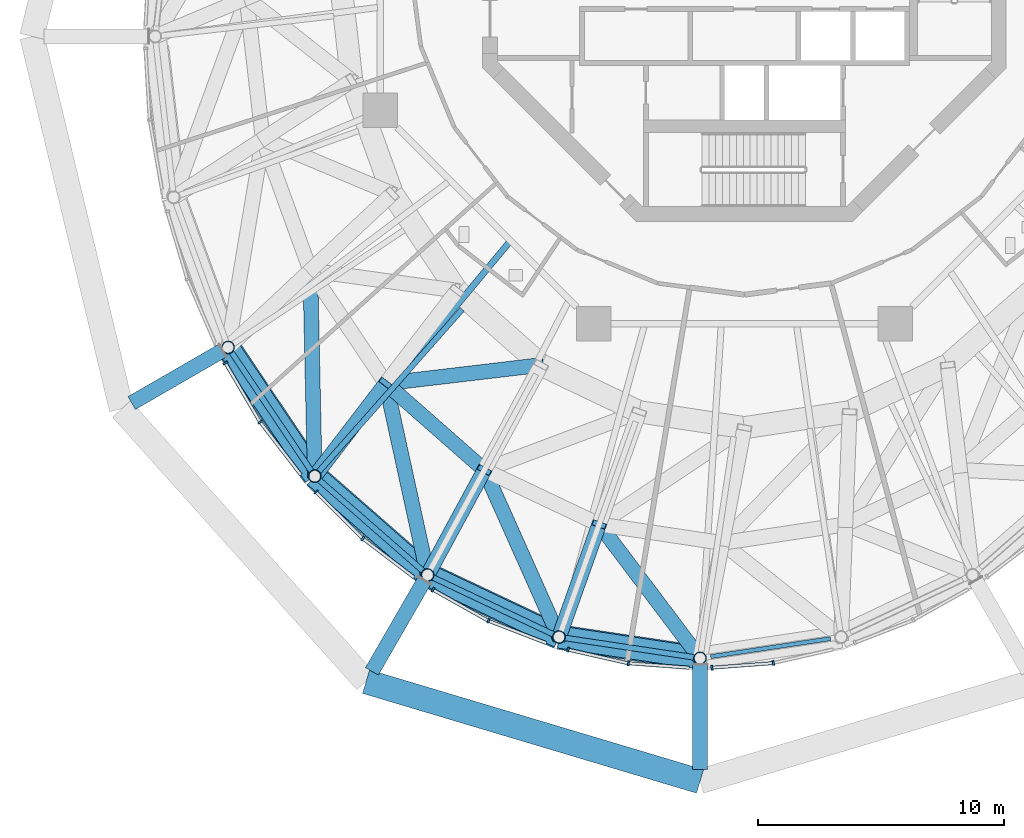
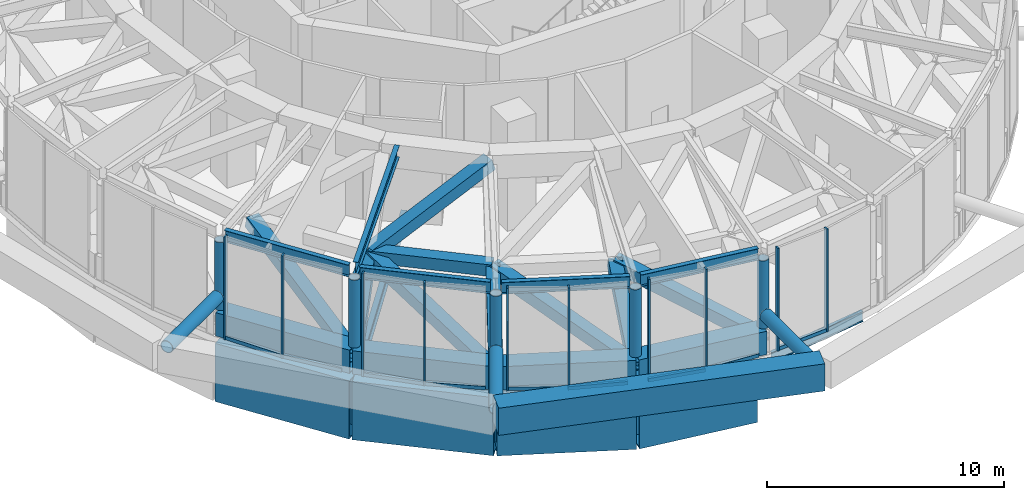
# One storey, part 2 of 22: 28 members, 24 beams, 10 elements without a shape of their own.
"""IFC4 building model written with IfcOpenShell, lengths in metres."""

from ifc_helpers import new_model, si_unit, direction, frame, origin, origin_2d, place, context, subcontext, project, spatial, rectangle, hollow_rectangle, hollow_circle, i_section, extrude, material, layer, layer_set, material_profile, profile_set, type_object, element, aggregate, save


model = new_model("IFC4")

# Units and contexts
model_context = context("Model", 3, precision=1e-05, world=origin(), true_north=direction((0.0, 1.0)))
body_context = subcontext(model_context, "Body", "Model", "MODEL_VIEW")
ifc_project = project(units=[si_unit("LENGTHUNIT", "METRE"), si_unit("AREAUNIT", "SQUARE_METRE"), si_unit("VOLUMEUNIT", "CUBIC_METRE"), si_unit("PLANEANGLEUNIT", "RADIAN"), si_unit("MASSUNIT", "GRAM", prefix="KILO")], contexts=[model_context])

# Site, building, storey
site_placement = place(None, origin())
site = spatial("IfcSite", under=ifc_project, at=site_placement, CompositionType="ELEMENT")
building_placement = place(site_placement, origin())
building = spatial("IfcBuilding", under=site, at=building_placement, Name="Nagisa Residences", CompositionType="ELEMENT")
storey_placement = place(building_placement, frame((0.0, 0.0, 310.300048828125)))
storey = spatial("IfcBuildingStorey", under=building, at=storey_placement, Name="L77", CompositionType="ELEMENT", Elevation=310.300048828125)

# Beams
ifc_material_1 = material(Name="Steel ASTM A572 Gr 50", Category="steel")
ifc_material_profile_1 = material_profile(ifc_material_1, hollow_rectangle(XDim=0.60009765625, YDim=0.60009765625, WallThickness=0.034912109375, at=origin_2d()), Name="BX 600x600x35")
ifc_profile_set_1 = profile_set([ifc_material_profile_1], Name="Steel ASTM A572 Gr 50")
beam_type_1 = type_object("IfcBeamType", Name="Belt chord 6 BX 600x600x35", PredefinedType="BEAM", material=ifc_profile_set_1)
beam_1_placement = place(storey_placement, frame((-14.55419921875, -17.199951171875, 2.64990234375), z_axis=(0.751083596494, -0.660207112259, 0.0), x_axis=(0.660207112259, 0.751083596494, 0.0)))
element("IfcBeam", 1, at=beam_1_placement, inside=storey, type_object=beam_type_1, Name="beam:L77:bt6m16", PredefinedType="BEAM", context=body_context, shape_type="SweptSolid", body=[
    extrude(hollow_rectangle(XDim=0.60009765625, YDim=0.60009765625, WallThickness=0.034912109375, at=origin_2d()), origin(), (0.0, 0.0, 1.0), 5.32470703125),
])
ifc_material_2 = material(Name="Steel ASTM A572 Gr 50", Category="steel")
ifc_material_profile_2 = material_profile(ifc_material_2, hollow_rectangle(XDim=0.89990234375, YDim=1.199951171875, WallThickness=0.0400390625, at=origin_2d()), Name="BX 900x1200x40")
ifc_profile_set_2 = profile_set([ifc_material_profile_2], Name="Steel ASTM A572 Gr 50")
beam_type_2 = type_object("IfcBeamType", Name="Belt chord 6 BX 900x1200x40", PredefinedType="BEAM", material=ifc_profile_set_2)
beam_2_placement = place(storey_placement, frame((-20.95654296875, -15.73779296875, 0.599853515625), z_axis=(0.558049586108, -0.829807603872, 0.0), x_axis=(0.829807603872, 0.558049586108, 0.0)))
element("IfcBeam", 2, at=beam_2_placement, inside=storey, type_object=beam_type_2, Name="beam:L77:bt6b15", PredefinedType="BEAM", context=body_context, shape_type="SweptSolid", body=[
    extrude(hollow_rectangle(XDim=0.89990234375, YDim=1.199951171875, WallThickness=0.0400390625, at=origin_2d()), origin(), (0.0, 0.0, 1.0), 6.29931640625),
])
beam_3_placement = place(storey_placement, frame((-17.441162109375, -20.965087890625, 0.599853515625), z_axis=(0.752368013949, -0.658743023938, 0.0), x_axis=(0.658743023938, 0.752368013949, 0.0)))
element("IfcBeam", 3, at=beam_3_placement, inside=storey, type_object=beam_type_2, Name="beam:L77:bt6b16", PredefinedType="BEAM", context=body_context, shape_type="SweptSolid", body=[
    extrude(hollow_rectangle(XDim=0.89990234375, YDim=1.199951171875, WallThickness=0.0400390625, at=origin_2d()), origin(), (0.0, 0.0, 1.0), 6.0888671875),
])
beam_4_placement = place(storey_placement, frame((-12.860107421875, -24.97607421875, 0.599853515625), z_axis=(0.904104817547, -0.427310752134, 0.0), x_axis=(0.427310752134, 0.904104817547, 0.0)))
element("IfcBeam", 4, at=beam_4_placement, inside=storey, type_object=beam_type_2, Name="beam:L77:bt6b17", PredefinedType="BEAM", context=body_context, shape_type="SweptSolid", body=[
    extrude(hollow_rectangle(XDim=0.89990234375, YDim=1.199951171875, WallThickness=0.0400390625, at=origin_2d()), origin(), (0.0, 0.0, 1.0), 5.90087890625),
])
beam_5_placement = place(storey_placement, frame((-7.525146484375, -27.49755859375, 0.599853515625), z_axis=(0.988902301615, -0.148567283948, 0.0), x_axis=(0.148567283948, 0.988902301615, 0.0)))
element("IfcBeam", 5, at=beam_5_placement, inside=storey, type_object=beam_type_2, Name="beam:L77:bt6b18", PredefinedType="BEAM", context=body_context, shape_type="SweptSolid", body=[
    extrude(hollow_rectangle(XDim=0.89990234375, YDim=1.199951171875, WallThickness=0.0400390625, at=origin_2d()), origin(), (0.0, 0.0, 1.0), 5.789306640625),
])
ifc_material_3 = material(Name="Steel ASTM A572 Gr 50", Category="steel")
ifc_material_profile_3 = material_profile(ifc_material_3, hollow_rectangle(XDim=0.60009765625, YDim=0.60009765625, WallThickness=0.034912109375, at=origin_2d()), Name="BX 600x600x35")
ifc_profile_set_3 = profile_set([ifc_material_profile_3], Name="Steel ASTM A572 Gr 50")
beam_type_3 = type_object("IfcBeamType", Name="Belt diagonal 6 BX 600x600x35", PredefinedType="BEAM", material=ifc_profile_set_3)
beam_6_placement = place(storey_placement, frame((-17.441162109375, -20.965087890625, 0.599853515625), z_axis=(-0.021158735006, 0.970916127382, 0.238483084351), x_axis=(-0.999762627001, -0.021787373694, 0.0)))
element("IfcBeam", 6, at=beam_6_placement, inside=storey, type_object=beam_type_3, Name="beam:L77:bt6lb15", PredefinedType="BEAM", context=body_context, shape_type="SweptSolid", body=[
    extrude(hollow_rectangle(XDim=0.60009765625, YDim=0.60009765625, WallThickness=0.034912109375, at=origin_2d()), origin(), (0.0, 0.0, 1.0), 8.59619140625),
])
beam_7_placement = place(storey_placement, frame((-17.441162109375, -20.965087890625, 0.599853515625), z_axis=(0.558567584049, 0.728476049151, 0.396642029874), x_axis=(-0.793569918659, 0.608479074578, 0.0)))
element("IfcBeam", 7, at=beam_7_placement, inside=storey, type_object=beam_type_3, Name="beam:L77:bt6la16", PredefinedType="BEAM", context=body_context, shape_type="SweptSolid", body=[
    extrude(hollow_rectangle(XDim=0.60009765625, YDim=0.60009765625, WallThickness=0.034912109375, at=origin_2d()), origin(), (0.0, 0.0, 1.0), 5.16845703125),
])
beam_8_placement = place(storey_placement, frame((-12.860107421875, -24.97607421875, 0.599853515625), z_axis=(-0.206136093923, 0.946194080925, 0.249448736226), x_axis=(-0.977081579033, -0.212865187181, 0.0)))
element("IfcBeam", 8, at=beam_8_placement, inside=storey, type_object=beam_type_3, Name="beam:L77:bt6lb16", PredefinedType="BEAM", context=body_context, shape_type="SweptSolid", body=[
    extrude(hollow_rectangle(XDim=0.60009765625, YDim=0.60009765625, WallThickness=0.034912109375, at=origin_2d()), origin(), (0.0, 0.0, 1.0), 8.21826171875),
])
beam_9_placement = place(storey_placement, frame((-14.55419921875, -17.199951171875, 2.64990234375), z_axis=(0.945026766079, 0.111732891211, 0.307311198), x_axis=(-0.117414697269, 0.993082971793, 0.0)))
element("IfcBeam", 9, at=beam_9_placement, inside=storey, type_object=beam_type_3, Name="beam:L77:bt6ub16", PredefinedType="BEAM", context=body_context, shape_type="SweptSolid", body=[
    extrude(hollow_rectangle(XDim=0.60009765625, YDim=0.60009765625, WallThickness=0.034912109375, at=origin_2d()), origin(), (0.0, 0.0, 1.0), 6.6708984375),
])
beam_10_placement = place(storey_placement, frame((-12.860107421875, -24.97607421875, 0.599853515625), z_axis=(0.438223700654, 0.809985175155, 0.389722983943), x_axis=(-0.87952754072, 0.475847985301, 0.0)))
element("IfcBeam", 10, at=beam_10_placement, inside=storey, type_object=beam_type_3, Name="beam:L77:bt6la17", PredefinedType="BEAM", context=body_context, shape_type="SweptSolid", body=[
    extrude(hollow_rectangle(XDim=0.60009765625, YDim=0.60009765625, WallThickness=0.034912109375, at=origin_2d()), origin(), (0.0, 0.0, 1.0), 5.26025390625),
])
beam_11_placement = place(storey_placement, frame((-7.525146484375, -27.49755859375, 0.599853515625), z_axis=(-0.393177323906, 0.880134251257, 0.26603626018), x_axis=(-0.913037358218, -0.407875940082, 0.0)))
element("IfcBeam", 11, at=beam_11_placement, inside=storey, type_object=beam_type_3, Name="beam:L77:bt6lb17", PredefinedType="BEAM", context=body_context, shape_type="SweptSolid", body=[
    extrude(hollow_rectangle(XDim=0.60009765625, YDim=0.60009765625, WallThickness=0.034912109375, at=origin_2d()), origin(), (0.0, 0.0, 1.0), 7.705810546875),
])
beam_12_placement = place(storey_placement, frame((-7.525146484375, -27.49755859375, 0.599853515625), z_axis=(0.308889099344, 0.86786437768, 0.389100175096), x_axis=(-0.942106671715, 0.335313314841, 0.0)))
element("IfcBeam", 12, at=beam_12_placement, inside=storey, type_object=beam_type_3, Name="beam:L77:bt6la18", PredefinedType="BEAM", context=body_context, shape_type="SweptSolid", body=[
    extrude(hollow_rectangle(XDim=0.60009765625, YDim=0.60009765625, WallThickness=0.034912109375, at=origin_2d()), origin(), (0.0, 0.0, 1.0), 5.268798828125),
])
beam_13_placement = place(storey_placement, frame((-1.800048828125, -28.357666015625, 0.599853515625), z_axis=(-0.57658126342, 0.764423634034, 0.288462396862), x_axis=(-0.798360981514, -0.602179162041, 0.0)))
element("IfcBeam", 13, at=beam_13_placement, inside=storey, type_object=beam_type_3, Name="beam:L77:bt6lb18", PredefinedType="BEAM", context=body_context, shape_type="SweptSolid", body=[
    extrude(hollow_rectangle(XDim=0.60009765625, YDim=0.60009765625, WallThickness=0.034912109375, at=origin_2d()), origin(), (0.0, 0.0, 1.0), 7.10693359375),
])

# Curtain wall, member
ifc_material_4 = material(Name="Aluminium curtain wall system", Category="aluminium")
ifc_layer = layer(ifc_material_4, 0.159912109375)
ifc_layer_set = layer_set([ifc_layer], Name="CW2 CURTAIN WALL")
curtain_wall_type = type_object("IfcCurtainWallType", Name="CW2 CURTAIN WALL", PredefinedType="NOTDEFINED", material=ifc_layer_set)
curtain_wall_1_placement = place(storey_placement, origin())
curtain_wall_1 = element("IfcCurtainWall", 14, at=curtain_wall_1_placement, inside=storey, type_object=curtain_wall_type, Name="cw:CW2:L77:28", PredefinedType="NOTDEFINED")
ifc_material_5 = material(Name="Aluminium", Category="aluminium")
ifc_material_profile_4 = material_profile(ifc_material_5, rectangle(XDim=0.199951171875, YDim=0.080078125, at=origin_2d()), Name="CW2 MULLION 200x80")
ifc_profile_set_4 = profile_set([ifc_material_profile_4], Name="Aluminium")
member_type_1 = type_object("IfcMemberType", Name="CW2 MULLION 200x80", PredefinedType="MULLION", material=ifc_profile_set_4)
member_1_placement = place(storey_placement, frame((-21.072509765625, -16.36962890625, 0.0), z_axis=(0.0, 0.0, 1.0), x_axis=(0.862328898214, 0.506348567002, 0.0)))
member_1 = element("IfcMember", 15, at=member_1_placement, type_object=member_type_1, Name="CW2 mullion", PredefinedType="MULLION", context=body_context, shape_type="SweptSolid", body=[
    extrude(rectangle(XDim=0.199951171875, YDim=0.080078125, at=origin_2d()), origin(), (0.0, 0.0, 1.0), 5.300048828125),
])

curtain_wall_2_placement = place(storey_placement, origin())
curtain_wall_2 = element("IfcCurtainWall", 16, at=curtain_wall_2_placement, inside=storey, type_object=curtain_wall_type, Name="cw:CW2:L77:29", PredefinedType="NOTDEFINED")
member_2_placement = place(storey_placement, frame((-19.657958984375, -18.77001953125, 0.0), z_axis=(0.0, 0.0, 1.0), x_axis=(0.792070340816, 0.610429828235, 0.0)))
member_2 = element("IfcMember", 17, at=member_2_placement, type_object=member_type_1, Name="CW2 mullion", PredefinedType="MULLION", context=body_context, shape_type="SweptSolid", body=[
    extrude(rectangle(XDim=0.199951171875, YDim=0.080078125, at=origin_2d()), origin(), (0.0, 0.0, 1.0), 5.300048828125),
])

curtain_wall_3_placement = place(storey_placement, origin())
curtain_wall_3 = element("IfcCurtainWall", 18, at=curtain_wall_3_placement, inside=storey, type_object=curtain_wall_type, Name="cw:CW2:L77:30", PredefinedType="NOTDEFINED")
member_3_placement = place(storey_placement, frame((-17.391357421875, -21.608154296875, 0.0), z_axis=(0.0, 0.0, 1.0), x_axis=(0.706376885714, 0.707835924016, 0.0)))
member_3 = element("IfcMember", 19, at=member_3_placement, type_object=member_type_1, Name="CW2 mullion", PredefinedType="MULLION", context=body_context, shape_type="SweptSolid", body=[
    extrude(rectangle(XDim=0.199951171875, YDim=0.080078125, at=origin_2d()), origin(), (0.0, 0.0, 1.0), 5.300048828125),
])

curtain_wall_4_placement = place(storey_placement, origin())
curtain_wall_4 = element("IfcCurtainWall", 20, at=curtain_wall_4_placement, inside=storey, type_object=curtain_wall_type, Name="cw:CW2:L77:31", PredefinedType="NOTDEFINED")
member_4_placement = place(storey_placement, frame((-15.489990234375, -23.4990234375, 0.0), z_axis=(0.0, 0.0, 1.0), x_axis=(0.605255421737, 0.79603132756, 0.0)))
member_4 = element("IfcMember", 21, at=member_4_placement, type_object=member_type_1, Name="CW2 mullion", PredefinedType="MULLION", context=body_context, shape_type="SweptSolid", body=[
    extrude(rectangle(XDim=0.199951171875, YDim=0.080078125, at=origin_2d()), origin(), (0.0, 0.0, 1.0), 5.300048828125),
])

curtain_wall_5_placement = place(storey_placement, origin())
curtain_wall_5 = element("IfcCurtainWall", 22, at=curtain_wall_5_placement, inside=storey, type_object=curtain_wall_type, Name="cw:CW2:L77:32", PredefinedType="NOTDEFINED")
member_5_placement = place(storey_placement, frame((-12.6435546875, -25.5791015625, 0.0), z_axis=(0.0, 0.0, 1.0), x_axis=(0.489376918501, 0.872072377523, 0.0)))
member_5 = element("IfcMember", 23, at=member_5_placement, type_object=member_type_1, Name="CW2 mullion", PredefinedType="MULLION", context=body_context, shape_type="SweptSolid", body=[
    extrude(rectangle(XDim=0.199951171875, YDim=0.080078125, at=origin_2d()), origin(), (0.0, 0.0, 1.0), 5.300048828125),
])

curtain_wall_6_placement = place(storey_placement, origin())
curtain_wall_6 = element("IfcCurtainWall", 24, at=curtain_wall_6_placement, inside=storey, type_object=curtain_wall_type, Name="cw:CW2:L77:33", PredefinedType="NOTDEFINED")
member_6_placement = place(storey_placement, frame((-10.39013671875, -26.838134765625, 0.0), z_axis=(0.0, 0.0, 1.0), x_axis=(0.360327770268, 0.932825759707, 0.0)))
member_6 = element("IfcMember", 25, at=member_6_placement, type_object=member_type_1, Name="CW2 mullion", PredefinedType="MULLION", context=body_context, shape_type="SweptSolid", body=[
    extrude(rectangle(XDim=0.199951171875, YDim=0.080078125, at=origin_2d()), origin(), (0.0, 0.0, 1.0), 5.300048828125),
])

curtain_wall_7_placement = place(storey_placement, origin())
curtain_wall_7 = element("IfcCurtainWall", 26, at=curtain_wall_7_placement, inside=storey, type_object=curtain_wall_type, Name="cw:CW2:L77:34", PredefinedType="NOTDEFINED")
member_7_placement = place(storey_placement, frame((-7.158935546875, -28.0107421875, 0.0), z_axis=(0.0, 0.0, 1.0), x_axis=(0.2207639201, 0.975327274089, 0.0)))
member_7 = element("IfcMember", 27, at=member_7_placement, type_object=member_type_1, Name="CW2 mullion", PredefinedType="MULLION", context=body_context, shape_type="SweptSolid", body=[
    extrude(rectangle(XDim=0.199951171875, YDim=0.080078125, at=origin_2d()), origin(), (0.0, 0.0, 1.0), 5.300048828125),
])

curtain_wall_8_placement = place(storey_placement, origin())
curtain_wall_8 = element("IfcCurtainWall", 28, at=curtain_wall_8_placement, inside=storey, type_object=curtain_wall_type, Name="cw:CW2:L77:35", PredefinedType="NOTDEFINED")
member_8_placement = place(storey_placement, frame((-4.70654296875, -28.560791015625, 0.0), z_axis=(0.0, 0.0, 1.0), x_axis=(0.074377355493, 0.997230168512, 0.0)))
member_8 = element("IfcMember", 29, at=member_8_placement, type_object=member_type_1, Name="CW2 mullion", PredefinedType="MULLION", context=body_context, shape_type="SweptSolid", body=[
    extrude(rectangle(XDim=0.199951171875, YDim=0.080078125, at=origin_2d()), origin(), (0.0, 0.0, 1.0), 5.300048828125),
])

curtain_wall_9_placement = place(storey_placement, origin())
curtain_wall_9 = element("IfcCurtainWall", 30, at=curtain_wall_9_placement, inside=storey, type_object=curtain_wall_type, Name="cw:CW2:L77:36", PredefinedType="NOTDEFINED")
member_9_placement = place(storey_placement, frame((-1.3173828125, -28.741455078125, 0.0), z_axis=(0.0, 0.0, 1.0), x_axis=(-0.074377355493, 0.997230168512, 0.0)))
member_9 = element("IfcMember", 31, at=member_9_placement, type_object=member_type_1, Name="CW2 mullion", PredefinedType="MULLION", context=body_context, shape_type="SweptSolid", body=[
    extrude(rectangle(XDim=0.199951171875, YDim=0.080078125, at=origin_2d()), origin(), (0.0, 0.0, 1.0), 5.300048828125),
])

curtain_wall_10_placement = place(storey_placement, origin())
curtain_wall_10 = element("IfcCurtainWall", 32, at=curtain_wall_10_placement, inside=storey, type_object=curtain_wall_type, Name="cw:CW2:L77:37", PredefinedType="NOTDEFINED")
member_10_placement = place(storey_placement, frame((1.173828125, -28.550537109375, 0.0), z_axis=(0.0, 0.0, 1.0), x_axis=(-0.2207639201, 0.975327274089, 0.0)))
member_10 = element("IfcMember", 33, at=member_10_placement, type_object=member_type_1, Name="CW2 mullion", PredefinedType="MULLION", context=body_context, shape_type="SweptSolid", body=[
    extrude(rectangle(XDim=0.199951171875, YDim=0.080078125, at=origin_2d()), origin(), (0.0, 0.0, 1.0), 5.300048828125),
])
aggregate(curtain_wall_10, [member_10])

# Member
ifc_material_6 = material(Name="Aluminium", Category="aluminium")
ifc_material_profile_5 = material_profile(ifc_material_6, rectangle(XDim=0.139892578125, YDim=0.179931640625, at=origin_2d()), Name="CW2 TRANSOM 140x180")
ifc_profile_set_5 = profile_set([ifc_material_profile_5], Name="Aluminium")
member_type_2 = type_object("IfcMemberType", Name="CW2 TRANSOM 140x180", PredefinedType="USERDEFINED", material=ifc_profile_set_5)
member_11_placement = place(storey_placement, frame((-21.0927734375, -16.335205078125, 0.08984375), z_axis=(0.506371364425, -0.862315511452, 0.0), x_axis=(0.862315511452, 0.506371364425, 0.0)))
member_11 = element("IfcMember", 34, at=member_11_placement, type_object=member_type_2, Name="CW2 transom", ObjectType="TRANSOM", PredefinedType="USERDEFINED", context=body_context, shape_type="SweptSolid", body=[
    extrude(rectangle(XDim=0.139892578125, YDim=0.179931640625, at=origin_2d()), origin(), (0.0, 0.0, 1.0), 2.79638671875),
])

aggregate(curtain_wall_1, [member_1, member_11])

member_12_placement = place(storey_placement, frame((-19.682373046875, -18.73828125, 0.08984375), z_axis=(0.610432336622, -0.792068407656, 0.0), x_axis=(0.792068407656, 0.610432336622, 0.0)))
member_12 = element("IfcMember", 35, at=member_12_placement, type_object=member_type_2, Name="CW2 transom", ObjectType="TRANSOM", PredefinedType="USERDEFINED", context=body_context, shape_type="SweptSolid", body=[
    extrude(rectangle(XDim=0.139892578125, YDim=0.179931640625, at=origin_2d()), origin(), (0.0, 0.0, 1.0), 2.74609375),
])

aggregate(curtain_wall_2, [member_2, member_12])

member_13_placement = place(storey_placement, frame((-17.419677734375, -21.579833984375, 0.08984375), z_axis=(0.707831739508, -0.706381078841, 0.0), x_axis=(0.706381078841, 0.707831739508, 0.0)))
member_13 = element("IfcMember", 36, at=member_13_placement, type_object=member_type_2, Name="CW2 transom", ObjectType="TRANSOM", PredefinedType="USERDEFINED", context=body_context, shape_type="SweptSolid", body=[
    extrude(rectangle(XDim=0.139892578125, YDim=0.179931640625, at=origin_2d()), origin(), (0.0, 0.0, 1.0), 2.692626953125),
])

aggregate(curtain_wall_3, [member_3, member_13])

member_14_placement = place(storey_placement, frame((-15.521728515625, -23.474853515625, 0.08984375), z_axis=(0.796010739377, -0.605282498339, 0.0), x_axis=(0.605282498339, 0.796010739377, 0.0)))
member_14 = element("IfcMember", 37, at=member_14_placement, type_object=member_type_2, Name="CW2 transom", ObjectType="TRANSOM", PredefinedType="USERDEFINED", context=body_context, shape_type="SweptSolid", body=[
    extrude(rectangle(XDim=0.139892578125, YDim=0.179931640625, at=origin_2d()), origin(), (0.0, 0.0, 1.0), 2.640625),
])

aggregate(curtain_wall_4, [member_4, member_14])

member_15_placement = place(storey_placement, frame((-12.678466796875, -25.5595703125, 0.08984375), z_axis=(0.872052877201, -0.489411666561, 0.0), x_axis=(0.489411666561, 0.872052877201, 0.0)))
member_15 = element("IfcMember", 38, at=member_15_placement, type_object=member_type_2, Name="CW2 transom", ObjectType="TRANSOM", PredefinedType="USERDEFINED", context=body_context, shape_type="SweptSolid", body=[
    extrude(rectangle(XDim=0.139892578125, YDim=0.179931640625, at=origin_2d()), origin(), (0.0, 0.0, 1.0), 2.593017578125),
])

aggregate(curtain_wall_5, [member_5, member_15])

member_16_placement = place(storey_placement, frame((-10.427490234375, -26.82373046875, 0.08984375), z_axis=(0.93282223778, -0.360336887792, 0.0), x_axis=(0.360336887792, 0.93282223778, 0.0)))
member_16 = element("IfcMember", 39, at=member_16_placement, type_object=member_type_2, Name="CW2 transom", ObjectType="TRANSOM", PredefinedType="USERDEFINED", context=body_context, shape_type="SweptSolid", body=[
    extrude(rectangle(XDim=0.139892578125, YDim=0.179931640625, at=origin_2d()), origin(), (0.0, 0.0, 1.0), 2.5537109375),
])

aggregate(curtain_wall_6, [member_6, member_16])

member_17_placement = place(storey_placement, frame((-7.197998046875, -28.001953125, 0.08984375), z_axis=(0.975319584032, -0.220797891756, 0.0), x_axis=(0.220797891756, 0.975319584032, 0.0)))
member_17 = element("IfcMember", 40, at=member_17_placement, type_object=member_type_2, Name="CW2 transom", ObjectType="TRANSOM", PredefinedType="USERDEFINED", context=body_context, shape_type="SweptSolid", body=[
    extrude(rectangle(XDim=0.139892578125, YDim=0.179931640625, at=origin_2d()), origin(), (0.0, 0.0, 1.0), 2.525390625),
])

aggregate(curtain_wall_7, [member_7, member_17])

member_18_placement = place(storey_placement, frame((-4.74658203125, -28.5576171875, 0.08984375), z_axis=(0.99722914645, -0.074391057731, 0.0), x_axis=(0.074391057731, 0.99722914645, 0.0)))
member_18 = element("IfcMember", 41, at=member_18_placement, type_object=member_type_2, Name="CW2 transom", ObjectType="TRANSOM", PredefinedType="USERDEFINED", context=body_context, shape_type="SweptSolid", body=[
    extrude(rectangle(XDim=0.139892578125, YDim=0.179931640625, at=origin_2d()), origin(), (0.0, 0.0, 1.0), 2.510498046875),
])

aggregate(curtain_wall_8, [member_8, member_18])

member_19_placement = place(storey_placement, frame((-1.357177734375, -28.744384765625, 0.08984375), z_axis=(0.99722914645, 0.074391057731, 0.0), x_axis=(-0.074391057731, 0.99722914645, 0.0)))
member_19 = element("IfcMember", 42, at=member_19_placement, type_object=member_type_2, Name="CW2 transom", ObjectType="TRANSOM", PredefinedType="USERDEFINED", context=body_context, shape_type="SweptSolid", body=[
    extrude(rectangle(XDim=0.139892578125, YDim=0.179931640625, at=origin_2d()), origin(), (0.0, 0.0, 1.0), 2.510498046875),
])

aggregate(curtain_wall_9, [member_9, member_19])

# Members
ifc_material_7 = material(Name="Concrete C80", Category="concrete")
ifc_material_profile_6 = material_profile(ifc_material_7, rectangle(XDim=1.0, YDim=1.39990234375, at=origin_2d()), Name="C80 1000x1400")
ifc_profile_set_6 = profile_set([ifc_material_profile_6], Name="Concrete C80")
member_type_3 = type_object("IfcMemberType", Name="Cage ring 6 C80 1000x1400", PredefinedType="CHORD", material=ifc_profile_set_6)
member_20_placement = place(storey_placement, frame((-15.360107421875, -29.306396484375, 1.89990234375), z_axis=(0.958151380194, -0.286261999981, 0.0), x_axis=(0.286261999981, 0.958151380194, 0.0)))
element("IfcMember", 43, at=member_20_placement, inside=storey, type_object=member_type_3, Name="beam:L77:cg6r109", PredefinedType="CHORD", context=body_context, shape_type="SweptSolid", body=[
    extrude(rectangle(XDim=1.0, YDim=1.39990234375, at=origin_2d()), origin(), (0.0, 0.0, 1.0), 14.15234375),
])
ifc_material_8 = material(Name="Steel ASTM A572 Gr 65", Category="steel")
ifc_material_profile_7 = material_profile(ifc_material_8, hollow_circle(Radius=0.304931640625, WallThickness=0.02490234375, at=origin_2d()), Name="CHS 610x25")
ifc_profile_set_7 = profile_set([ifc_material_profile_7], Name="Steel ASTM A572 Gr 65")
member_type_4 = type_object("IfcMemberType", Name="Cage strut CHS 610x25", PredefinedType="STRUT", material=ifc_profile_set_7)
member_21_placement = place(storey_placement, frame((-24.870849609375, -17.997802734375, 1.89990234375), z_axis=(0.866012267213, 0.500022752519, 0.0), x_axis=(-0.500022752519, 0.866012267213, 0.0)))
element("IfcMember", 44, at=member_21_placement, inside=storey, type_object=member_type_4, Name="mem:L77:cg6tie08", PredefinedType="STRUT", context=body_context, shape_type="SweptSolid", body=[
    extrude(hollow_circle(Radius=0.304931640625, WallThickness=0.02490234375, at=origin_2d()), origin(), (0.0, 0.0, 1.0), 4.245849609375),
])
member_22_placement = place(storey_placement, frame((-15.1201171875, -28.890625, 1.89990234375), z_axis=(0.499996068715, 0.866027673501, 0.0), x_axis=(-0.866027673501, 0.499996068715, 0.0)))
element("IfcMember", 45, at=member_22_placement, inside=storey, type_object=member_type_4, Name="mem:L77:cg6tie09", PredefinedType="STRUT", context=body_context, shape_type="SweptSolid", body=[
    extrude(hollow_circle(Radius=0.304931640625, WallThickness=0.02490234375, at=origin_2d()), origin(), (0.0, 0.0, 1.0), 4.248046875),
])
member_23_placement = place(storey_placement, frame((-1.800048828125, -32.877685546875, 1.89990234375), z_axis=(0.0, 1.0, 0.0), x_axis=(-1.0, 0.0, 0.0)))
element("IfcMember", 46, at=member_23_placement, inside=storey, type_object=member_type_4, Name="mem:L77:cg6tie10", PredefinedType="STRUT", context=body_context, shape_type="SweptSolid", body=[
    extrude(hollow_circle(Radius=0.304931640625, WallThickness=0.02490234375, at=origin_2d()), origin(), (0.0, 0.0, 1.0), 4.24609375),
])

# Beams
ifc_material_9 = material(Name="Steel ASTM A572 Gr 50", Category="steel")
ifc_material_profile_8 = material_profile(ifc_material_9, i_section(OverallWidth=0.22802734375, OverallDepth=0.60302734375, WebThickness=0.010498046875, FlangeThickness=0.014892578125, at=origin_2d()), Name="W610x101")
ifc_profile_set_8 = profile_set([ifc_material_profile_8], Name="Steel ASTM A572 Gr 50")
beam_type_4 = type_object("IfcBeamType", Name="Garden edge beam W610x101", PredefinedType="BEAM", material=ifc_profile_set_8)
beam_14_placement = place(storey_placement, frame((-20.825927734375, -15.931884765625, 4.99853515625), z_axis=(0.558028905093, -0.82982151158, 0.0), x_axis=(0.82982151158, 0.558028905093, 0.0)))
element("IfcBeam", 47, at=beam_14_placement, inside=storey, type_object=beam_type_4, Name="beam:L77:bt6ge15", PredefinedType="BEAM", context=body_context, shape_type="SweptSolid", body=[
    extrude(i_section(OverallWidth=0.22802734375, OverallDepth=0.60302734375, WebThickness=0.010498046875, FlangeThickness=0.014892578125, at=origin_2d()), origin(), (0.0, 0.0, 1.0), 5.83154296875),
])
beam_15_placement = place(storey_placement, frame((-17.26513671875, -21.119140625, 4.99853515625), z_axis=(0.752356025387, -0.658756716144, 0.0), x_axis=(0.658756716144, 0.752356025387, 0.0)))
element("IfcBeam", 48, at=beam_15_placement, inside=storey, type_object=beam_type_4, Name="beam:L77:bt6ge16", PredefinedType="BEAM", context=body_context, shape_type="SweptSolid", body=[
    extrude(i_section(OverallWidth=0.22802734375, OverallDepth=0.60302734375, WebThickness=0.010498046875, FlangeThickness=0.014892578125, at=origin_2d()), origin(), (0.0, 0.0, 1.0), 5.62109375),
])
beam_16_placement = place(storey_placement, frame((-12.6484375, -25.076171875, 4.99853515625), z_axis=(0.904103517773, -0.427313502187, 0.0), x_axis=(0.427313502187, 0.904103517773, 0.0)))
element("IfcBeam", 49, at=beam_16_placement, inside=storey, type_object=beam_type_4, Name="beam:L77:bt6ge17", PredefinedType="BEAM", context=body_context, shape_type="SweptSolid", body=[
    extrude(i_section(OverallWidth=0.22802734375, OverallDepth=0.60302734375, WebThickness=0.010498046875, FlangeThickness=0.014892578125, at=origin_2d()), origin(), (0.0, 0.0, 1.0), 5.432861328125),
])
beam_17_placement = place(storey_placement, frame((-7.293701171875, -27.532470703125, 4.99853515625), z_axis=(0.988903348477, -0.148560315597, 0.0), x_axis=(0.148560315597, 0.988903348477, 0.0)))
element("IfcBeam", 50, at=beam_17_placement, inside=storey, type_object=beam_type_4, Name="beam:L77:bt6ge18", PredefinedType="BEAM", context=body_context, shape_type="SweptSolid", body=[
    extrude(i_section(OverallWidth=0.22802734375, OverallDepth=0.60302734375, WebThickness=0.010498046875, FlangeThickness=0.014892578125, at=origin_2d()), origin(), (0.0, 0.0, 1.0), 5.3212890625),
])

# Members
ifc_material_10 = material(Name="Steel ASTM A572 Gr 65", Category="steel")
ifc_material_profile_9 = material_profile(ifc_material_10, hollow_circle(Radius=0.25390625, WallThickness=0.02001953125, at=origin_2d()), Name="CHS 508x20")
ifc_profile_set_9 = profile_set([ifc_material_profile_9], Name="Steel ASTM A572 Gr 65")
member_type_5 = type_object("IfcMemberType", Name="Garden edge post CHS 508x20", PredefinedType="POST", material=ifc_profile_set_9)
for number, where, z_axis, x_axis, name in (
    (51, (-20.95654296875, -15.73779296875, 1.199951171875), (0.0, 0.0, 1.0), (1.0, 0.0, 0.0), "mem:L77:gp615"),
    (52, (-17.441162109375, -20.965087890625, 1.199951171875), (0.0, 0.0, 1.0), (1.0, 0.0, 0.0), "mem:L77:gp616"),
    (53, (-12.860107421875, -24.97607421875, 1.199951171875), (0.0, 0.0, 1.0), (1.0, 0.0, 0.0), "mem:L77:gp617"),
    (54, (-7.525146484375, -27.49755859375, 1.199951171875), (0.0, 0.0, 1.0), (1.0, 0.0, 0.0), "mem:L77:gp618"),
    (55, (-1.800048828125, -28.357666015625, 1.199951171875), (0.0, 0.0, 1.0), (1.0, 0.0, 0.0), "mem:L77:gp619"),
):
    element("IfcMember", number, at=place(storey_placement, frame(where, z_axis=z_axis, x_axis=x_axis)), inside=storey, type_object=member_type_5, Name=name, PredefinedType="POST", context=body_context, shape_type="SweptSolid", body=[
        extrude(hollow_circle(Radius=0.25390625, WallThickness=0.02001953125, at=origin_2d()), origin(), (0.0, 0.0, 1.0), 3.4970703125),
    ])

# Beams
ifc_material_11 = material(Name="Steel ASTM A572 Gr 50", Category="steel")
ifc_material_profile_10 = material_profile(ifc_material_11, i_section(OverallWidth=0.22802734375, OverallDepth=0.60302734375, WebThickness=0.010498046875, FlangeThickness=0.014892578125, at=origin_2d()), Name="W610x101")
ifc_profile_set_10 = profile_set([ifc_material_profile_10], Name="Steel ASTM A572 Gr 50")
beam_type_5 = type_object("IfcBeamType", Name="Garden radial beam W610x101", PredefinedType="BEAM", material=ifc_profile_set_10)
beam_18_placement = place(storey_placement, frame((-17.286376953125, -20.789794921875, 4.99853515625), z_axis=(0.662145278921, 0.749375493063, 0.0), x_axis=(-0.749375493063, 0.662145278921, 0.0)))
element("IfcBeam", 56, at=beam_18_placement, inside=storey, type_object=beam_type_5, Name="beam:L77:bt6gr16", PredefinedType="BEAM", context=body_context, shape_type="SweptSolid", body=[
    extrude(i_section(OverallWidth=0.22802734375, OverallDepth=0.60302734375, WebThickness=0.010498046875, FlangeThickness=0.014892578125, at=origin_2d()), origin(), (0.0, 0.0, 1.0), 8.80224609375),
])
ifc_material_12 = material(Name="Steel ASTM A572 Gr 50", Category="steel")
ifc_material_profile_11 = material_profile(ifc_material_12, i_section(OverallWidth=0.166015625, OverallDepth=0.534912109375, WebThickness=0.01025390625, FlangeThickness=0.0166015625, at=origin_2d()), Name="W530x85")
ifc_profile_set_11 = profile_set([ifc_material_profile_11], Name="Steel ASTM A572 Gr 50")
beam_type_6 = type_object("IfcBeamType", Name="Perimeter ring beam W530x85", PredefinedType="BEAM", material=ifc_profile_set_11)
beam_19_placement = place(storey_placement, frame((-1.369873046875, -28.29296875, -0.617431640625), z_axis=(0.988907577601, 0.148532161377, 0.0), x_axis=(-0.148532161377, 0.988907577601, 0.0)))
element("IfcBeam", 57, at=beam_19_placement, inside=storey, type_object=beam_type_6, Name="beam:L77:pb19", PredefinedType="BEAM", context=body_context, shape_type="SweptSolid", body=[
    extrude(i_section(OverallWidth=0.166015625, OverallDepth=0.534912109375, WebThickness=0.01025390625, FlangeThickness=0.0166015625, at=origin_2d()), origin(), (0.0, 0.0, 1.0), 4.919677734375),
])
ifc_material_13 = material(Name="Steel ASTM A572 Gr 50", Category="steel")
ifc_material_profile_12 = material_profile(ifc_material_13, hollow_rectangle(XDim=1.0, YDim=3.0, WallThickness=0.070068359375, at=origin_2d()), Name="BX 1000x3000x70")
ifc_profile_set_12 = profile_set([ifc_material_profile_12], Name="Steel ASTM A572 Gr 50")
beam_type_7 = type_object("IfcBeamType", Name="Portal lintel girder BX 1000x3000x70", PredefinedType="BEAM", material=ifc_profile_set_12)
beam_20_placement = place(storey_placement, frame((-20.95654296875, -15.73779296875, -1.85009765625), z_axis=(0.558049586108, -0.829807603872, 0.0), x_axis=(0.829807603872, 0.558049586108, 0.0)))
element("IfcBeam", 58, at=beam_20_placement, inside=storey, type_object=beam_type_7, Name="beam:L77:pb15", PredefinedType="BEAM", context=body_context, shape_type="SweptSolid", body=[
    extrude(hollow_rectangle(XDim=1.0, YDim=3.0, WallThickness=0.070068359375, at=origin_2d()), origin(), (0.0, 0.0, 1.0), 6.29931640625),
])
beam_21_placement = place(storey_placement, frame((-17.441162109375, -20.965087890625, -1.85009765625), z_axis=(0.752368013949, -0.658743023938, 0.0), x_axis=(0.658743023938, 0.752368013949, 0.0)))
element("IfcBeam", 59, at=beam_21_placement, inside=storey, type_object=beam_type_7, Name="beam:L77:pb16", PredefinedType="BEAM", context=body_context, shape_type="SweptSolid", body=[
    extrude(hollow_rectangle(XDim=1.0, YDim=3.0, WallThickness=0.070068359375, at=origin_2d()), origin(), (0.0, 0.0, 1.0), 6.0888671875),
])
beam_22_placement = place(storey_placement, frame((-12.860107421875, -24.97607421875, -1.85009765625), z_axis=(0.904104817547, -0.427310752134, 0.0), x_axis=(0.427310752134, 0.904104817547, 0.0)))
element("IfcBeam", 60, at=beam_22_placement, inside=storey, type_object=beam_type_7, Name="beam:L77:pb17", PredefinedType="BEAM", context=body_context, shape_type="SweptSolid", body=[
    extrude(hollow_rectangle(XDim=1.0, YDim=3.0, WallThickness=0.070068359375, at=origin_2d()), origin(), (0.0, 0.0, 1.0), 5.90087890625),
])
beam_23_placement = place(storey_placement, frame((-7.525146484375, -27.49755859375, -1.85009765625), z_axis=(0.988904222395, -0.148554498182, 0.0), x_axis=(0.148554498182, 0.988904222395, 0.0)))
element("IfcBeam", 61, at=beam_23_placement, inside=storey, type_object=beam_type_7, Name="beam:L77:pb18", PredefinedType="BEAM", context=body_context, shape_type="SweptSolid", body=[
    extrude(hollow_rectangle(XDim=1.0, YDim=3.0, WallThickness=0.070068359375, at=origin_2d()), origin(), (0.0, 0.0, 1.0), 5.354248046875),
])
ifc_material_14 = material(Name="Steel ASTM A572 Gr 50", Category="steel")
ifc_material_profile_13 = material_profile(ifc_material_14, i_section(OverallWidth=0.2529296875, OverallDepth=0.677978515625, WebThickness=0.01171875, FlangeThickness=0.016357421875, at=origin_2d()), Name="W690x125")
ifc_profile_set_13 = profile_set([ifc_material_profile_13], Name="Steel ASTM A572 Gr 50")
beam_type_8 = type_object("IfcBeamType", Name="Radial beam W690x125", PredefinedType="BEAM", material=ifc_profile_set_13)
beam_24_placement = place(storey_placement, frame((-17.13037109375, -20.59130859375, -0.68896484375), z_axis=(0.63955480998, 0.76874550082, 0.0), x_axis=(-0.76874550082, 0.63955480998, 0.0)))
element("IfcBeam", 62, at=beam_24_placement, inside=storey, type_object=beam_type_8, Name="beam:L77:rb16", PredefinedType="BEAM", context=body_context, shape_type="SweptSolid", body=[
    extrude(i_section(OverallWidth=0.2529296875, OverallDepth=0.677978515625, WebThickness=0.01171875, FlangeThickness=0.016357421875, at=origin_2d()), origin(), (0.0, 0.0, 1.0), 11.828125),
])

save(model, "model.ifc")
